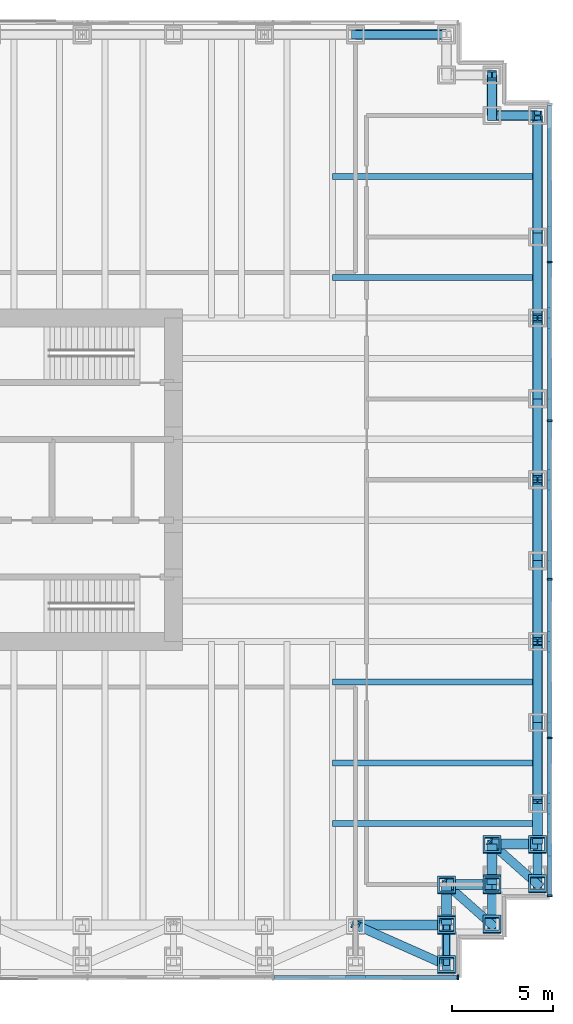
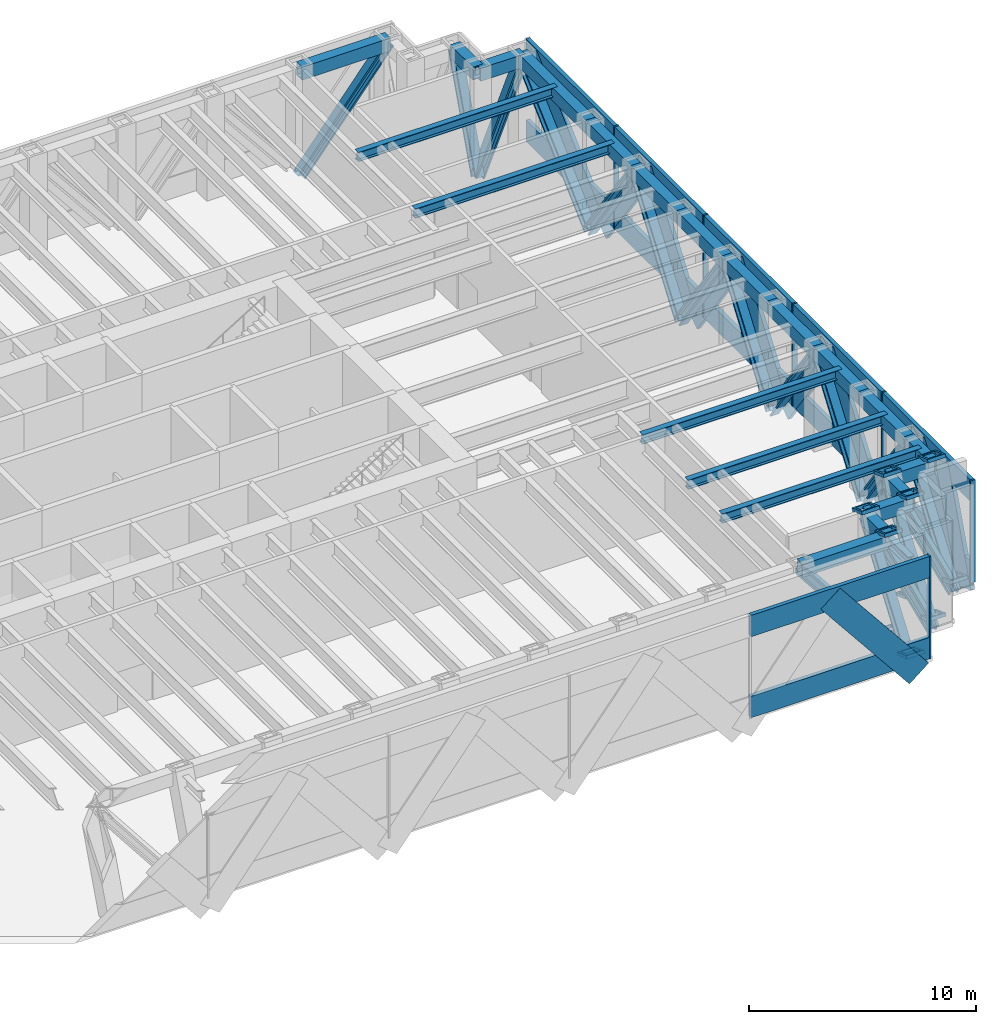
# One storey, part 8 of 16: 56 members, 23 beams, 2 elements without a shape of their own.
"""IFC4 building model written with IfcOpenShell, lengths in metres."""

from ifc_helpers import new_model, si_unit, direction, frame, origin, origin_2d, place, context, subcontext, project, spatial, rectangle, hollow_rectangle, i_section, extrude, material, material_profile, profile_set, type_object, element, aggregate, save


model = new_model("IFC4")

# Units and contexts
model_context = context("Model", 3, precision=1e-05, world=origin(), true_north=direction((0.0, 1.0)))
body_context = subcontext(model_context, "Body", "Model", "MODEL_VIEW")
ifc_project = project(units=[si_unit("LENGTHUNIT", "METRE"), si_unit("AREAUNIT", "SQUARE_METRE"), si_unit("VOLUMEUNIT", "CUBIC_METRE"), si_unit("PLANEANGLEUNIT", "RADIAN"), si_unit("MASSUNIT", "GRAM", prefix="KILO")], contexts=[model_context])

# Site, building, storey
site_placement = place(None, origin())
site = spatial("IfcSite", under=ifc_project, at=site_placement, CompositionType="ELEMENT")
building_placement = place(site_placement, origin())
building = spatial("IfcBuilding", under=site, at=building_placement, Name="Rheinbord Bourse Tower", CompositionType="ELEMENT")
storey_placement = place(building_placement, frame((0.0, 0.0, 95.0)))
storey = spatial("IfcBuildingStorey", under=building, at=storey_placement, Name="L20", CompositionType="ELEMENT", Elevation=95.0)

# Beams
ifc_material_1 = material(Name="Steel S460M", Category="steel")
ifc_material_profile_1 = material_profile(ifc_material_1, hollow_rectangle(XDim=0.5, YDim=0.699951171875, WallThickness=0.0400390625, at=origin_2d()), Name="BOX 700x500x40")
ifc_profile_set_1 = profile_set([ifc_material_profile_1], Name="Steel S460M")
beam_type_1 = type_object("IfcBeamType", Name="BELT CHORD BOX 700x500x40", PredefinedType="SPANDREL", material=ifc_profile_set_1)
beam_1_placement = place(storey_placement, frame((63.0, 2.0, 4.989990234375), z_axis=(1.0, 0.0, 0.0), x_axis=(0.0, 1.0, 0.0)))
element("IfcBeam", 1, at=beam_1_placement, inside=storey, type_object=beam_type_1, Name="Spandrel S-63-SE-E under L21", PredefinedType="SPANDREL", context=body_context, shape_type="SweptSolid", body=[
    extrude(hollow_rectangle(XDim=0.5, YDim=0.699951171875, WallThickness=0.0400390625, at=origin_2d()), origin(), (0.0, 0.0, 1.0), 4.5),
])
beam_2_placement = place(storey_placement, frame((67.5, 2.0, 4.989990234375), z_axis=(0.0, 1.0, 0.0), x_axis=(-1.0, 0.0, 0.0)))
element("IfcBeam", 2, at=beam_2_placement, inside=storey, type_object=beam_type_1, Name="Spandrel SE-E-SE-D under L21", PredefinedType="SPANDREL", context=body_context, shape_type="SweptSolid", body=[
    extrude(hollow_rectangle(XDim=0.5, YDim=0.699951171875, WallThickness=0.0400390625, at=origin_2d()), origin(), (0.0, 0.0, 1.0), 2.0),
])
beam_3_placement = place(storey_placement, frame((67.5, 4.0, 4.989990234375), z_axis=(1.0, 0.0, 0.0), x_axis=(0.0, 1.0, 0.0)))
element("IfcBeam", 3, at=beam_3_placement, inside=storey, type_object=beam_type_1, Name="Spandrel SE-D-SE-C under L21", PredefinedType="SPANDREL", context=body_context, shape_type="SweptSolid", body=[
    extrude(hollow_rectangle(XDim=0.5, YDim=0.699951171875, WallThickness=0.0400390625, at=origin_2d()), origin(), (0.0, 0.0, 1.0), 2.25),
])
beam_4_placement = place(storey_placement, frame((69.75, 4.0, 4.989990234375), z_axis=(0.0, 1.0, 0.0), x_axis=(-1.0, 0.0, 0.0)))
element("IfcBeam", 4, at=beam_4_placement, inside=storey, type_object=beam_type_1, Name="Spandrel SE-C-SE-B under L21", PredefinedType="SPANDREL", context=body_context, shape_type="SweptSolid", body=[
    extrude(hollow_rectangle(XDim=0.5, YDim=0.699951171875, WallThickness=0.0400390625, at=origin_2d()), origin(), (0.0, 0.0, 1.0), 2.0),
])
beam_5_placement = place(storey_placement, frame((69.75, 6.0, 4.989990234375), z_axis=(1.0, 0.0, 0.0), x_axis=(0.0, 1.0, 0.0)))
element("IfcBeam", 5, at=beam_5_placement, inside=storey, type_object=beam_type_1, Name="Spandrel SE-B-SE-A under L21", PredefinedType="SPANDREL", context=body_context, shape_type="SweptSolid", body=[
    extrude(hollow_rectangle(XDim=0.5, YDim=0.699951171875, WallThickness=0.0400390625, at=origin_2d()), origin(), (0.0, 0.0, 1.0), 2.25),
])
beam_6_placement = place(storey_placement, frame((72.0, 6.0, 4.989990234375), z_axis=(0.0, 1.0, 0.0), x_axis=(-1.0, 0.0, 0.0)))
element("IfcBeam", 6, at=beam_6_placement, inside=storey, type_object=beam_type_1, Name="Spandrel SE-A-E-8 under L21", PredefinedType="SPANDREL", context=body_context, shape_type="SweptSolid", body=[
    extrude(hollow_rectangle(XDim=0.5, YDim=0.699951171875, WallThickness=0.0400390625, at=origin_2d()), origin(), (0.0, 0.0, 1.0), 2.0),
])
for number, where, z_axis, x_axis, name in (
    (7, (72.0, 8.0, 4.989990234375), (0.0, 1.0, 0.0), (-1.0, 0.0, 0.0), "Spandrel E-8-E-12 under L21"),
    (8, (72.0, 12.0, 4.989990234375), (0.0, 1.0, 0.0), (-1.0, 0.0, 0.0), "Spandrel E-12-E-16 under L21"),
    (9, (72.0, 16.0, 4.989990234375), (0.0, 1.0, 0.0), (-1.0, 0.0, 0.0), "Spandrel E-16-E-20 under L21"),
    (10, (72.0, 20.0, 4.989990234375), (0.0, 1.0, 0.0), (-1.0, 0.0, 0.0), "Spandrel E-20-E-24 under L21"),
    (11, (72.0, 24.0, 4.989990234375), (0.0, 1.0, 0.0), (-1.0, 0.0, 0.0), "Spandrel E-24-E-28 under L21"),
    (12, (72.0, 28.0, 4.989990234375), (0.0, 1.0, 0.0), (-1.0, 0.0, 0.0), "Spandrel E-28-E-32 under L21"),
    (13, (72.0, 32.0, 4.989990234375), (0.0, 1.0, 0.0), (-1.0, 0.0, 0.0), "Spandrel E-32-E-36 under L21"),
):
    element("IfcBeam", number, at=place(storey_placement, frame(where, z_axis=z_axis, x_axis=x_axis)), inside=storey, type_object=beam_type_1, Name=name, PredefinedType="SPANDREL", context=body_context, shape_type="SweptSolid", body=[
        extrude(hollow_rectangle(XDim=0.5, YDim=0.699951171875, WallThickness=0.0400390625, at=origin_2d()), origin(), (0.0, 0.0, 1.0), 4.0),
    ])
beam_7_placement = place(storey_placement, frame((72.0, 36.0, 4.989990234375), z_axis=(0.0, 1.0, 0.0), x_axis=(-1.0, 0.0, 0.0)))
element("IfcBeam", 14, at=beam_7_placement, inside=storey, type_object=beam_type_1, Name="Spandrel E-36-NE-A under L21", PredefinedType="SPANDREL", context=body_context, shape_type="SweptSolid", body=[
    extrude(hollow_rectangle(XDim=0.5, YDim=0.699951171875, WallThickness=0.0400390625, at=origin_2d()), origin(), (0.0, 0.0, 1.0), 6.0),
])
beam_8_placement = place(storey_placement, frame((72.0, 42.0, 4.989990234375), z_axis=(-1.0, 0.0, 0.0), x_axis=(0.0, -1.0, 0.0)))
element("IfcBeam", 15, at=beam_8_placement, inside=storey, type_object=beam_type_1, Name="Spandrel NE-A-NE-B under L21", PredefinedType="SPANDREL", context=body_context, shape_type="SweptSolid", body=[
    extrude(hollow_rectangle(XDim=0.5, YDim=0.699951171875, WallThickness=0.0400390625, at=origin_2d()), origin(), (0.0, 0.0, 1.0), 2.25),
])
beam_9_placement = place(storey_placement, frame((69.75, 42.0, 4.989990234375), z_axis=(0.0, 1.0, 0.0), x_axis=(-1.0, 0.0, 0.0)))
element("IfcBeam", 16, at=beam_9_placement, inside=storey, type_object=beam_type_1, Name="Spandrel NE-B-NE-C under L21", PredefinedType="SPANDREL", context=body_context, shape_type="SweptSolid", body=[
    extrude(hollow_rectangle(XDim=0.5, YDim=0.699951171875, WallThickness=0.0400390625, at=origin_2d()), origin(), (0.0, 0.0, 1.0), 2.0),
])
beam_10_placement = place(storey_placement, frame((67.5, 46.0, 4.989990234375), z_axis=(-1.0, 0.0, 0.0), x_axis=(0.0, -1.0, 0.0)))
element("IfcBeam", 17, at=beam_10_placement, inside=storey, type_object=beam_type_1, Name="Spandrel NE-E-N-63 under L21", PredefinedType="SPANDREL", context=body_context, shape_type="SweptSolid", body=[
    extrude(hollow_rectangle(XDim=0.5, YDim=0.699951171875, WallThickness=0.0400390625, at=origin_2d()), origin(), (0.0, 0.0, 1.0), 4.5),
])

# Members
ifc_material_2 = material(Name="Steel S460", Category="steel")
ifc_material_profile_2 = material_profile(ifc_material_2, i_section(OverallWidth=0.431884765625, OverallDepth=0.498046875, WebThickness=0.0556640625, FlangeThickness=0.0888671875, at=origin_2d()), Name="HD 400x744")
ifc_profile_set_2 = profile_set([ifc_material_profile_2], Name="Steel S460")
member_type_1 = type_object("IfcMemberType", Name="BELT DIAGONAL HD 400x744", PredefinedType="STRUT", material=ifc_profile_set_2)
member_1_placement = place(storey_placement, frame((67.5, 0.0, -0.60009765625), z_axis=(-0.604045441932, 0.268464640859, 0.750370468962), x_axis=(-0.406138466053, -0.91381154862, 0.0)))
element("IfcMember", 18, at=member_1_placement, inside=storey, type_object=member_type_1, Name="Belt truss diagonal S-63-SE-E L20", PredefinedType="STRUT", context=body_context, shape_type="SweptSolid", body=[
    extrude(i_section(OverallWidth=0.431884765625, OverallDepth=0.498046875, WebThickness=0.0556640625, FlangeThickness=0.0888671875, at=origin_2d()), origin(), (0.0, 0.0, 1.0), 7.44970703125),
])
member_2_placement = place(storey_placement, frame((67.5, 0.0, -0.60009765625), z_axis=(0.0, 0.581920023079, 0.813246018582), x_axis=(-1.0, 0.0, 0.0)))
element("IfcMember", 19, at=member_2_placement, inside=storey, type_object=member_type_1, Name="Belt truss diagonal SE-E-SE-D L20", PredefinedType="STRUT", context=body_context, shape_type="SweptSolid", body=[
    extrude(i_section(OverallWidth=0.431884765625, OverallDepth=0.498046875, WebThickness=0.0556640625, FlangeThickness=0.0888671875, at=origin_2d()), origin(), (0.0, 0.0, 1.0), 6.873779296875),
])
member_3_placement = place(storey_placement, frame((69.75, 2.0, -0.60009765625), z_axis=(-0.35437868618, 0.315003276604, 0.880448001026), x_axis=(-0.66436383883, -0.747409318684, 0.0)))
element("IfcMember", 20, at=member_3_placement, inside=storey, type_object=member_type_1, Name="Belt truss diagonal SE-D-SE-C L20", PredefinedType="STRUT", context=body_context, shape_type="SweptSolid", body=[
    extrude(i_section(OverallWidth=0.431884765625, OverallDepth=0.498046875, WebThickness=0.0556640625, FlangeThickness=0.0888671875, at=origin_2d()), origin(), (0.0, 0.0, 1.0), 6.34912109375),
])
member_4_placement = place(storey_placement, frame((69.75, 2.0, -0.60009765625), z_axis=(0.0, 0.581920023079, 0.813246018582), x_axis=(-1.0, 0.0, 0.0)))
element("IfcMember", 21, at=member_4_placement, inside=storey, type_object=member_type_1, Name="Belt truss diagonal SE-C-SE-B L20", PredefinedType="STRUT", context=body_context, shape_type="SweptSolid", body=[
    extrude(i_section(OverallWidth=0.431884765625, OverallDepth=0.498046875, WebThickness=0.0556640625, FlangeThickness=0.0888671875, at=origin_2d()), origin(), (0.0, 0.0, 1.0), 6.873779296875),
])
member_5_placement = place(storey_placement, frame((72.0, 4.0, -0.60009765625), z_axis=(-0.35437868618, 0.315003276604, 0.880448001026), x_axis=(-0.66436383883, -0.747409318684, 0.0)))
element("IfcMember", 22, at=member_5_placement, inside=storey, type_object=member_type_1, Name="Belt truss diagonal SE-B-SE-A L20", PredefinedType="STRUT", context=body_context, shape_type="SweptSolid", body=[
    extrude(i_section(OverallWidth=0.431884765625, OverallDepth=0.498046875, WebThickness=0.0556640625, FlangeThickness=0.0888671875, at=origin_2d()), origin(), (0.0, 0.0, 1.0), 6.34912109375),
])
for number, where, z_axis, x_axis, name in (
    (23, (72.0, 4.0, -0.60009765625), (0.0, 0.581920023079, 0.813246018582), (-1.0, 0.0, 0.0), "Belt truss diagonal SE-A-E-8 L20"),
    (24, (72.0, 12.0, -0.60009765625), (0.0, -0.581920023079, 0.813246018582), (1.0, 0.0, 0.0), "Belt truss diagonal E-8-E-12 L20"),
    (25, (72.0, 12.0, -0.60009765625), (0.0, 0.581920023079, 0.813246018582), (-1.0, 0.0, 0.0), "Belt truss diagonal E-12-E-16 L20"),
    (26, (72.0, 20.0, -0.60009765625), (0.0, -0.581920023079, 0.813246018582), (1.0, 0.0, 0.0), "Belt truss diagonal E-16-E-20 L20"),
    (27, (72.0, 20.0, -0.60009765625), (0.0, 0.581920023079, 0.813246018582), (-1.0, 0.0, 0.0), "Belt truss diagonal E-20-E-24 L20"),
    (28, (72.0, 28.0, -0.60009765625), (0.0, -0.581920023079, 0.813246018582), (1.0, 0.0, 0.0), "Belt truss diagonal E-24-E-28 L20"),
    (29, (72.0, 28.0, -0.60009765625), (0.0, 0.581920023079, 0.813246018582), (-1.0, 0.0, 0.0), "Belt truss diagonal E-28-E-32 L20"),
    (30, (72.0, 36.0, -0.60009765625), (0.0, -0.581920023079, 0.813246018582), (1.0, 0.0, 0.0), "Belt truss diagonal E-32-E-36 L20"),
):
    element("IfcMember", number, at=place(storey_placement, frame(where, z_axis=z_axis, x_axis=x_axis)), inside=storey, type_object=member_type_1, Name=name, PredefinedType="STRUT", context=body_context, shape_type="SweptSolid", body=[
        extrude(i_section(OverallWidth=0.431884765625, OverallDepth=0.498046875, WebThickness=0.0556640625, FlangeThickness=0.0888671875, at=origin_2d()), origin(), (0.0, 0.0, 1.0), 6.873779296875),
    ])
member_6_placement = place(storey_placement, frame((72.0, 36.0, -0.60009765625), z_axis=(0.0, 0.731657903406, 0.681671997652), x_axis=(-1.0, 0.0, 0.0)))
element("IfcMember", 31, at=member_6_placement, inside=storey, type_object=member_type_1, Name="Belt truss diagonal E-36-NE-A L20", PredefinedType="STRUT", context=body_context, shape_type="SweptSolid", body=[
    extrude(i_section(OverallWidth=0.431884765625, OverallDepth=0.498046875, WebThickness=0.0556640625, FlangeThickness=0.0888671875, at=origin_2d()), origin(), (0.0, 0.0, 1.0), 8.200439453125),
])
member_7_placement = place(storey_placement, frame((69.75, 42.0, -0.60009765625), z_axis=(0.37338763268, 0.0, 0.92767541509), x_axis=(0.0, 1.0, 0.0)))
element("IfcMember", 32, at=member_7_placement, inside=storey, type_object=member_type_1, Name="Belt truss diagonal NE-A-NE-B L20", PredefinedType="STRUT", context=body_context, shape_type="SweptSolid", body=[
    extrude(i_section(OverallWidth=0.431884765625, OverallDepth=0.498046875, WebThickness=0.0556640625, FlangeThickness=0.0888671875, at=origin_2d()), origin(), (0.0, 0.0, 1.0), 6.02587890625),
])
member_8_placement = place(storey_placement, frame((69.75, 42.0, -0.60009765625), z_axis=(0.0, 0.336865151883, 0.941552903159), x_axis=(-1.0, 0.0, 0.0)))
element("IfcMember", 33, at=member_8_placement, inside=storey, type_object=member_type_1, Name="Belt truss diagonal NE-B-NE-C L20", PredefinedType="STRUT", context=body_context, shape_type="SweptSolid", body=[
    extrude(i_section(OverallWidth=0.431884765625, OverallDepth=0.498046875, WebThickness=0.0556640625, FlangeThickness=0.0888671875, at=origin_2d()), origin(), (0.0, 0.0, 1.0), 5.93701171875),
])
member_9_placement = place(storey_placement, frame((63.0, 46.0, -0.60009765625), z_axis=(0.627065297878, 0.0, 0.778966695178), x_axis=(0.0, 1.0, 0.0)))
element("IfcMember", 34, at=member_9_placement, inside=storey, type_object=member_type_1, Name="Belt truss diagonal NE-E-N-63 L20", PredefinedType="STRUT", context=body_context, shape_type="SweptSolid", body=[
    extrude(i_section(OverallWidth=0.431884765625, OverallDepth=0.498046875, WebThickness=0.0556640625, FlangeThickness=0.0888671875, at=origin_2d()), origin(), (0.0, 0.0, 1.0), 7.17626953125),
])

# Curtain wall, member
ifc_material_3 = material(Name="Dark glass and black aluminium", Category="aluminium")
curtain_wall_type = type_object("IfcCurtainWallType", Name="CW5 DARK GLASS CURTAIN WALL", PredefinedType="USERDEFINED", material=ifc_material_3)
curtain_wall_1_placement = place(storey_placement, origin())
curtain_wall_1 = element("IfcCurtainWall", 35, at=curtain_wall_1_placement, inside=storey, type_object=curtain_wall_type, Name="Curtain wall CW5 S L20", ObjectType="UNITISED CURTAIN WALL", PredefinedType="USERDEFINED")
ifc_material_4 = material(Name="Black anodised aluminium", Category="aluminium")
ifc_material_profile_3 = material_profile(ifc_material_4, rectangle(XDim=0.199951171875, YDim=1.259033203125, at=origin_2d()), Name="CW5 DIAGONAL MULLION 1259x200")
ifc_profile_set_3 = profile_set([ifc_material_profile_3], Name="Black anodised aluminium")
member_type_2 = type_object("IfcMemberType", Name="CW5 BLACK DIAGONAL MULLION", PredefinedType="USERDEFINED", material=ifc_profile_set_3)
member_10_placement = place(storey_placement, frame((67.5, -0.60009765625, -0.60009765625), z_axis=(-0.627065297878, 0.0, 0.778966695178), x_axis=(0.0, -1.0, 0.0)))
member_10 = element("IfcMember", 36, at=member_10_placement, type_object=member_type_2, Name="CW5 diagonal mullion belt S-63", ObjectType="DIAGONAL MULLION", PredefinedType="USERDEFINED", context=body_context, shape_type="SweptSolid", body=[
    extrude(rectangle(XDim=0.199951171875, YDim=1.259033203125, at=origin_2d()), origin(), (0.0, 0.0, 1.0), 7.17626953125),
])

# Curtain wall, members
curtain_wall_2_placement = place(storey_placement, origin())
curtain_wall_2 = element("IfcCurtainWall", 37, at=curtain_wall_2_placement, inside=storey, type_object=curtain_wall_type, Name="Curtain wall CW5 E L20", ObjectType="UNITISED CURTAIN WALL", PredefinedType="USERDEFINED")
member_11_placement = place(storey_placement, frame((72.60009765625, 4.0, -0.60009765625), z_axis=(0.0, 0.336865151883, 0.941552903159), x_axis=(-1.0, 0.0, 0.0)))
member_11 = element("IfcMember", 38, at=member_11_placement, type_object=member_type_2, Name="CW5 diagonal mullion belt SE-B", ObjectType="DIAGONAL MULLION", PredefinedType="USERDEFINED", context=body_context, shape_type="SweptSolid", body=[
    extrude(rectangle(XDim=0.199951171875, YDim=1.259033203125, at=origin_2d()), origin(), (0.0, 0.0, 1.0), 5.93701171875),
])
member_12_placement = place(storey_placement, frame((72.60009765625, 4.0, -0.60009765625), z_axis=(0.0, 0.581920023079, 0.813246018582), x_axis=(-1.0, 0.0, 0.0)))
member_12 = element("IfcMember", 39, at=member_12_placement, type_object=member_type_2, Name="CW5 diagonal mullion belt SE-A", ObjectType="DIAGONAL MULLION", PredefinedType="USERDEFINED", context=body_context, shape_type="SweptSolid", body=[
    extrude(rectangle(XDim=0.199951171875, YDim=1.259033203125, at=origin_2d()), origin(), (0.0, 0.0, 1.0), 6.873779296875),
])
member_13_placement = place(storey_placement, frame((72.60009765625, 12.0, -0.60009765625), z_axis=(0.0, -0.581920023079, 0.813246018582), x_axis=(1.0, 0.0, 0.0)))
member_13 = element("IfcMember", 40, at=member_13_placement, type_object=member_type_2, Name="CW5 diagonal mullion belt E-8", ObjectType="DIAGONAL MULLION", PredefinedType="USERDEFINED", context=body_context, shape_type="SweptSolid", body=[
    extrude(rectangle(XDim=0.199951171875, YDim=1.259033203125, at=origin_2d()), origin(), (0.0, 0.0, 1.0), 6.873779296875),
])
member_14_placement = place(storey_placement, frame((72.60009765625, 12.0, -0.60009765625), z_axis=(0.0, 0.581920023079, 0.813246018582), x_axis=(-1.0, 0.0, 0.0)))
member_14 = element("IfcMember", 41, at=member_14_placement, type_object=member_type_2, Name="CW5 diagonal mullion belt E-12", ObjectType="DIAGONAL MULLION", PredefinedType="USERDEFINED", context=body_context, shape_type="SweptSolid", body=[
    extrude(rectangle(XDim=0.199951171875, YDim=1.259033203125, at=origin_2d()), origin(), (0.0, 0.0, 1.0), 6.873779296875),
])
member_15_placement = place(storey_placement, frame((72.60009765625, 20.0, -0.60009765625), z_axis=(0.0, -0.581920023079, 0.813246018582), x_axis=(1.0, 0.0, 0.0)))
member_15 = element("IfcMember", 42, at=member_15_placement, type_object=member_type_2, Name="CW5 diagonal mullion belt E-16", ObjectType="DIAGONAL MULLION", PredefinedType="USERDEFINED", context=body_context, shape_type="SweptSolid", body=[
    extrude(rectangle(XDim=0.199951171875, YDim=1.259033203125, at=origin_2d()), origin(), (0.0, 0.0, 1.0), 6.873779296875),
])
member_16_placement = place(storey_placement, frame((72.60009765625, 20.0, -0.60009765625), z_axis=(0.0, 0.581920023079, 0.813246018582), x_axis=(-1.0, 0.0, 0.0)))
member_16 = element("IfcMember", 43, at=member_16_placement, type_object=member_type_2, Name="CW5 diagonal mullion belt E-20", ObjectType="DIAGONAL MULLION", PredefinedType="USERDEFINED", context=body_context, shape_type="SweptSolid", body=[
    extrude(rectangle(XDim=0.199951171875, YDim=1.259033203125, at=origin_2d()), origin(), (0.0, 0.0, 1.0), 6.873779296875),
])
member_17_placement = place(storey_placement, frame((72.60009765625, 28.0, -0.60009765625), z_axis=(0.0, -0.581920023079, 0.813246018582), x_axis=(1.0, 0.0, 0.0)))
member_17 = element("IfcMember", 44, at=member_17_placement, type_object=member_type_2, Name="CW5 diagonal mullion belt E-24", ObjectType="DIAGONAL MULLION", PredefinedType="USERDEFINED", context=body_context, shape_type="SweptSolid", body=[
    extrude(rectangle(XDim=0.199951171875, YDim=1.259033203125, at=origin_2d()), origin(), (0.0, 0.0, 1.0), 6.873779296875),
])
member_18_placement = place(storey_placement, frame((72.60009765625, 28.0, -0.60009765625), z_axis=(0.0, 0.581920023079, 0.813246018582), x_axis=(-1.0, 0.0, 0.0)))
member_18 = element("IfcMember", 45, at=member_18_placement, type_object=member_type_2, Name="CW5 diagonal mullion belt E-28", ObjectType="DIAGONAL MULLION", PredefinedType="USERDEFINED", context=body_context, shape_type="SweptSolid", body=[
    extrude(rectangle(XDim=0.199951171875, YDim=1.259033203125, at=origin_2d()), origin(), (0.0, 0.0, 1.0), 6.873779296875),
])
member_19_placement = place(storey_placement, frame((72.60009765625, 36.0, -0.60009765625), z_axis=(0.0, -0.581920023079, 0.813246018582), x_axis=(1.0, 0.0, 0.0)))
member_19 = element("IfcMember", 46, at=member_19_placement, type_object=member_type_2, Name="CW5 diagonal mullion belt E-32", ObjectType="DIAGONAL MULLION", PredefinedType="USERDEFINED", context=body_context, shape_type="SweptSolid", body=[
    extrude(rectangle(XDim=0.199951171875, YDim=1.259033203125, at=origin_2d()), origin(), (0.0, 0.0, 1.0), 6.873779296875),
])
member_20_placement = place(storey_placement, frame((72.60009765625, 36.0, -0.60009765625), z_axis=(0.0, 0.731657903406, 0.681671997652), x_axis=(-1.0, 0.0, 0.0)))
member_20 = element("IfcMember", 47, at=member_20_placement, type_object=member_type_2, Name="CW5 diagonal mullion belt E-36", ObjectType="DIAGONAL MULLION", PredefinedType="USERDEFINED", context=body_context, shape_type="SweptSolid", body=[
    extrude(rectangle(XDim=0.199951171875, YDim=1.259033203125, at=origin_2d()), origin(), (0.0, 0.0, 1.0), 8.200439453125),
])

# Member
ifc_material_5 = material(Name="Black anodised aluminium", Category="aluminium")
ifc_material_profile_4 = material_profile(ifc_material_5, rectangle(XDim=0.25, YDim=0.080078125, at=origin_2d()), Name="CW5 MULLION 80x250")
ifc_profile_set_4 = profile_set([ifc_material_profile_4], Name="Black anodised aluminium")
member_type_3 = type_object("IfcMemberType", Name="CW5 BLACK MULLION", PredefinedType="MULLION", material=ifc_profile_set_4)
member_21_placement = place(storey_placement, frame((68.06005859375, -0.60009765625, 0.0), z_axis=(0.0, 0.0, 1.0), x_axis=(0.0, 1.0, 0.0)))
member_21 = element("IfcMember", 48, at=member_21_placement, type_object=member_type_3, Name="CW5 mullion 8", PredefinedType="MULLION", context=body_context, shape_type="SweptSolid", body=[
    extrude(rectangle(XDim=0.25, YDim=0.080078125, at=origin_2d()), origin(), (0.0, 0.0, 1.0), 5.5),
])

member_22_placement = place(storey_placement, frame((72.60009765625, 3.43994140625, 0.0), z_axis=(0.0, 0.0, 1.0), x_axis=(-1.0, 0.0, 0.0)))
member_22 = element("IfcMember", 49, at=member_22_placement, type_object=member_type_3, Name="CW5 mullion 1", PredefinedType="MULLION", context=body_context, shape_type="SweptSolid", body=[
    extrude(rectangle(XDim=0.25, YDim=0.080078125, at=origin_2d()), origin(), (0.0, 0.0, 1.0), 5.5),
])

member_23_placement = place(storey_placement, frame((72.60009765625, 11.239990234375, 0.0), z_axis=(0.0, 0.0, 1.0), x_axis=(-1.0, 0.0, 0.0)))
member_23 = element("IfcMember", 50, at=member_23_placement, type_object=member_type_3, Name="CW5 mullion 2", PredefinedType="MULLION", context=body_context, shape_type="SweptSolid", body=[
    extrude(rectangle(XDim=0.25, YDim=0.080078125, at=origin_2d()), origin(), (0.0, 0.0, 1.0), 5.5),
])

member_24_placement = place(storey_placement, frame((72.60009765625, 19.080078125, 0.0), z_axis=(0.0, 0.0, 1.0), x_axis=(-1.0, 0.0, 0.0)))
member_24 = element("IfcMember", 51, at=member_24_placement, type_object=member_type_3, Name="CW5 mullion 3", PredefinedType="MULLION", context=body_context, shape_type="SweptSolid", body=[
    extrude(rectangle(XDim=0.25, YDim=0.080078125, at=origin_2d()), origin(), (0.0, 0.0, 1.0), 5.5),
])

member_25_placement = place(storey_placement, frame((72.60009765625, 26.919921875, 0.0), z_axis=(0.0, 0.0, 1.0), x_axis=(-1.0, 0.0, 0.0)))
member_25 = element("IfcMember", 52, at=member_25_placement, type_object=member_type_3, Name="CW5 mullion 4", PredefinedType="MULLION", context=body_context, shape_type="SweptSolid", body=[
    extrude(rectangle(XDim=0.25, YDim=0.080078125, at=origin_2d()), origin(), (0.0, 0.0, 1.0), 5.5),
])

member_26_placement = place(storey_placement, frame((72.60009765625, 34.760009765625, 0.0), z_axis=(0.0, 0.0, 1.0), x_axis=(-1.0, 0.0, 0.0)))
member_26 = element("IfcMember", 53, at=member_26_placement, type_object=member_type_3, Name="CW5 mullion 5", PredefinedType="MULLION", context=body_context, shape_type="SweptSolid", body=[
    extrude(rectangle(XDim=0.25, YDim=0.080078125, at=origin_2d()), origin(), (0.0, 0.0, 1.0), 5.5),
])

ifc_material_6 = material(Name="Black anodised aluminium", Category="aluminium")
ifc_material_profile_5 = material_profile(ifc_material_6, rectangle(XDim=0.199951171875, YDim=1.14990234375, at=origin_2d()), Name="CW5 TRANSOM 1150x200")
ifc_profile_set_5 = profile_set([ifc_material_profile_5], Name="Black anodised aluminium")
member_type_4 = type_object("IfcMemberType", Name="CW5 BLACK TRANSOM", PredefinedType="USERDEFINED", material=ifc_profile_set_5)
member_27_placement = place(storey_placement, frame((58.968505859375, -0.60009765625, 0.574951171875), z_axis=(1.0, 0.0, 0.0), x_axis=(0.0, 1.0, 0.0)))
member_27 = element("IfcMember", 54, at=member_27_placement, type_object=member_type_4, Name="CW5 transom 7.1", ObjectType="TRANSOM", PredefinedType="USERDEFINED", context=body_context, shape_type="SweptSolid", body=[
    extrude(rectangle(XDim=0.199951171875, YDim=1.14990234375, at=origin_2d()), origin(), (0.0, 0.0, 1.0), 9.051513671875),
])

member_28_placement = place(storey_placement, frame((58.968505859375, -0.60009765625, 4.925048828125), z_axis=(1.0, 0.0, 0.0), x_axis=(0.0, 1.0, 0.0)))
member_28 = element("IfcMember", 55, at=member_28_placement, type_object=member_type_4, Name="CW5 transom 7.2", ObjectType="TRANSOM", PredefinedType="USERDEFINED", context=body_context, shape_type="SweptSolid", body=[
    extrude(rectangle(XDim=0.199951171875, YDim=1.14990234375, at=origin_2d()), origin(), (0.0, 0.0, 1.0), 9.051513671875),
])

aggregate(curtain_wall_1, [member_21, member_27, member_28, member_10])

member_29_placement = place(storey_placement, frame((72.60009765625, 3.47998046875, 0.574951171875), z_axis=(0.0, 1.0, 0.0), x_axis=(-1.0, 0.0, 0.0)))
member_29 = element("IfcMember", 56, at=member_29_placement, type_object=member_type_4, Name="CW5 transom 1.1", ObjectType="TRANSOM", PredefinedType="USERDEFINED", context=body_context, shape_type="SweptSolid", body=[
    extrude(rectangle(XDim=0.199951171875, YDim=1.14990234375, at=origin_2d()), origin(), (0.0, 0.0, 1.0), 7.719970703125),
])

member_30_placement = place(storey_placement, frame((72.60009765625, 3.47998046875, 4.925048828125), z_axis=(0.0, 1.0, 0.0), x_axis=(-1.0, 0.0, 0.0)))
member_30 = element("IfcMember", 57, at=member_30_placement, type_object=member_type_4, Name="CW5 transom 1.2", ObjectType="TRANSOM", PredefinedType="USERDEFINED", context=body_context, shape_type="SweptSolid", body=[
    extrude(rectangle(XDim=0.199951171875, YDim=1.14990234375, at=origin_2d()), origin(), (0.0, 0.0, 1.0), 7.719970703125),
])

member_31_placement = place(storey_placement, frame((72.60009765625, 11.280029296875, 0.574951171875), z_axis=(0.0, 1.0, 0.0), x_axis=(-1.0, 0.0, 0.0)))
member_31 = element("IfcMember", 58, at=member_31_placement, type_object=member_type_4, Name="CW5 transom 2.1", ObjectType="TRANSOM", PredefinedType="USERDEFINED", context=body_context, shape_type="SweptSolid", body=[
    extrude(rectangle(XDim=0.199951171875, YDim=1.14990234375, at=origin_2d()), origin(), (0.0, 0.0, 1.0), 7.760009765625),
])

member_32_placement = place(storey_placement, frame((72.60009765625, 11.280029296875, 4.925048828125), z_axis=(0.0, 1.0, 0.0), x_axis=(-1.0, 0.0, 0.0)))
member_32 = element("IfcMember", 59, at=member_32_placement, type_object=member_type_4, Name="CW5 transom 2.2", ObjectType="TRANSOM", PredefinedType="USERDEFINED", context=body_context, shape_type="SweptSolid", body=[
    extrude(rectangle(XDim=0.199951171875, YDim=1.14990234375, at=origin_2d()), origin(), (0.0, 0.0, 1.0), 7.760009765625),
])

member_33_placement = place(storey_placement, frame((72.60009765625, 19.1201171875, 0.574951171875), z_axis=(0.0, 1.0, 0.0), x_axis=(-1.0, 0.0, 0.0)))
member_33 = element("IfcMember", 60, at=member_33_placement, type_object=member_type_4, Name="CW5 transom 3.1", ObjectType="TRANSOM", PredefinedType="USERDEFINED", context=body_context, shape_type="SweptSolid", body=[
    extrude(rectangle(XDim=0.199951171875, YDim=1.14990234375, at=origin_2d()), origin(), (0.0, 0.0, 1.0), 7.759765625),
])

member_34_placement = place(storey_placement, frame((72.60009765625, 19.1201171875, 4.925048828125), z_axis=(0.0, 1.0, 0.0), x_axis=(-1.0, 0.0, 0.0)))
member_34 = element("IfcMember", 61, at=member_34_placement, type_object=member_type_4, Name="CW5 transom 3.2", ObjectType="TRANSOM", PredefinedType="USERDEFINED", context=body_context, shape_type="SweptSolid", body=[
    extrude(rectangle(XDim=0.199951171875, YDim=1.14990234375, at=origin_2d()), origin(), (0.0, 0.0, 1.0), 7.759765625),
])

member_35_placement = place(storey_placement, frame((72.60009765625, 26.9599609375, 0.574951171875), z_axis=(0.0, 1.0, 0.0), x_axis=(-1.0, 0.0, 0.0)))
member_35 = element("IfcMember", 62, at=member_35_placement, type_object=member_type_4, Name="CW5 transom 4.1", ObjectType="TRANSOM", PredefinedType="USERDEFINED", context=body_context, shape_type="SweptSolid", body=[
    extrude(rectangle(XDim=0.199951171875, YDim=1.14990234375, at=origin_2d()), origin(), (0.0, 0.0, 1.0), 7.760009765625),
])

member_36_placement = place(storey_placement, frame((72.60009765625, 26.9599609375, 4.925048828125), z_axis=(0.0, 1.0, 0.0), x_axis=(-1.0, 0.0, 0.0)))
member_36 = element("IfcMember", 63, at=member_36_placement, type_object=member_type_4, Name="CW5 transom 4.2", ObjectType="TRANSOM", PredefinedType="USERDEFINED", context=body_context, shape_type="SweptSolid", body=[
    extrude(rectangle(XDim=0.199951171875, YDim=1.14990234375, at=origin_2d()), origin(), (0.0, 0.0, 1.0), 7.760009765625),
])

member_37_placement = place(storey_placement, frame((72.60009765625, 34.800048828125, 0.574951171875), z_axis=(0.0, 1.0, 0.0), x_axis=(-1.0, 0.0, 0.0)))
member_37 = element("IfcMember", 64, at=member_37_placement, type_object=member_type_4, Name="CW5 transom 5.1", ObjectType="TRANSOM", PredefinedType="USERDEFINED", context=body_context, shape_type="SweptSolid", body=[
    extrude(rectangle(XDim=0.199951171875, YDim=1.14990234375, at=origin_2d()), origin(), (0.0, 0.0, 1.0), 7.719970703125),
])

member_38_placement = place(storey_placement, frame((72.60009765625, 34.800048828125, 4.925048828125), z_axis=(0.0, 1.0, 0.0), x_axis=(-1.0, 0.0, 0.0)))
member_38 = element("IfcMember", 65, at=member_38_placement, type_object=member_type_4, Name="CW5 transom 5.2", ObjectType="TRANSOM", PredefinedType="USERDEFINED", context=body_context, shape_type="SweptSolid", body=[
    extrude(rectangle(XDim=0.199951171875, YDim=1.14990234375, at=origin_2d()), origin(), (0.0, 0.0, 1.0), 7.719970703125),
])

aggregate(curtain_wall_2, [member_22, member_23, member_24, member_25, member_26, member_29, member_30, member_31, member_32, member_33, member_34, member_35, member_36, member_37, member_38, member_11, member_12, member_13, member_14, member_15, member_16, member_17, member_18, member_19, member_20])

# Members
ifc_material_7 = material(Name="Steel S460M", Category="steel")
ifc_material_profile_6 = material_profile(ifc_material_7, hollow_rectangle(XDim=0.89990234375, YDim=0.89990234375, WallThickness=0.110107421875, at=origin_2d()), Name="BOX 900x900x110")
ifc_profile_set_6 = profile_set([ifc_material_profile_6], Name="Steel S460M")
member_type_5 = type_object("IfcMemberType", Name="RAKING NODE PIECE BOX 900x900x110", PredefinedType="USERDEFINED", material=ifc_profile_set_6)
for number, where, z_axis, x_axis, name in (
    (66, (67.5, 0.0, 0.0), (0.0, 0.341861886176, 0.939750206587), (0.0, -0.939750206587, 0.341861886176), "Node piece SE-E L20 foot"),
    (67, (67.5, 1.943603515625, 5.344970703125), (0.0, 0.341861886176, 0.939750206587), (0.0, -0.939750206587, 0.341861886176), "Node piece SE-E L20 head"),
    (68, (67.5, 2.0, 0.0), (0.0, 0.341861886176, 0.939750206587), (0.0, -0.939750206587, 0.341861886176), "Node piece SE-D L20 foot"),
    (69, (67.5, 3.943603515625, 5.344970703125), (0.0, 0.341861886176, 0.939750206587), (0.0, -0.939750206587, 0.341861886176), "Node piece SE-D L20 head"),
    (70, (69.75, 2.0, 0.0), (0.0, 0.341861886176, 0.939750206587), (-1.0, 0.0, 0.0), "Node piece SE-C L20 foot"),
    (71, (69.75, 3.943603515625, 5.344970703125), (0.0, 0.341861886176, 0.939750206587), (-1.0, 0.0, 0.0), "Node piece SE-C L20 head"),
    (72, (69.75, 4.0, 0.0), (0.0, 0.341861886176, 0.939750206587), (-1.0, 0.0, 0.0), "Node piece SE-B L20 foot"),
    (73, (69.75, 5.943603515625, 5.344970703125), (0.0, 0.341861886176, 0.939750206587), (-1.0, 0.0, 0.0), "Node piece SE-B L20 head"),
    (74, (72.0, 4.0, 0.0), (0.0, 0.341861886176, 0.939750206587), (-1.0, 0.0, 0.0), "Node piece SE-A L20 foot"),
    (75, (72.0, 5.943603515625, 5.344970703125), (0.0, 0.341861886176, 0.939750206587), (-1.0, 0.0, 0.0), "Node piece SE-A L20 head"),
):
    element("IfcMember", number, at=place(storey_placement, frame(where, z_axis=z_axis, x_axis=x_axis)), inside=storey, type_object=member_type_5, Name=name, ObjectType="NODE PIECE", PredefinedType="USERDEFINED", context=body_context, shape_type="SweptSolid", body=[
        extrude(hollow_rectangle(XDim=0.89990234375, YDim=0.89990234375, WallThickness=0.110107421875, at=origin_2d()), origin(), (0.0, 0.0, 1.0), 0.1650390625),
    ])

# Beams
ifc_material_8 = material(Name="Steel S460", Category="steel")
ifc_material_profile_7 = material_profile(ifc_material_8, i_section(OverallWidth=0.305908203125, OverallDepth=0.52392578125, WebThickness=0.02099609375, FlangeThickness=0.0400390625, at=origin_2d()), Name="HEM 500")
ifc_profile_set_7 = profile_set([ifc_material_profile_7], Name="Steel S460")
beam_type_2 = type_object("IfcBeamType", Name="SETBACK OUTLOOKER HEM 500", PredefinedType="BEAM", material=ifc_profile_set_7)
beam_11_placement = place(storey_placement, frame((67.5, 2.0, 4.988037109375), z_axis=(0.0, -1.0, 0.0), x_axis=(1.0, 0.0, 0.0)))
element("IfcBeam", 76, at=beam_11_placement, inside=storey, type_object=beam_type_2, Name="Setback outlooker SE-E L21", PredefinedType="BEAM", context=body_context, shape_type="SweptSolid", body=[
    extrude(i_section(OverallWidth=0.305908203125, OverallDepth=0.52392578125, WebThickness=0.02099609375, FlangeThickness=0.0400390625, at=origin_2d()), origin(), (0.0, 0.0, 1.0), 2.0),
])
ifc_material_9 = material(Name="Steel S460", Category="steel")
ifc_material_profile_8 = material_profile(ifc_material_9, i_section(OverallWidth=0.300048828125, OverallDepth=0.5, WebThickness=0.014404296875, FlangeThickness=0.028076171875, at=origin_2d()), Name="HEB 500")
ifc_profile_set_8 = profile_set([ifc_material_profile_8], Name="Steel S460")
beam_type_3 = type_object("IfcBeamType", Name="TIE BEAM HEB 500", PredefinedType="JOIST", material=ifc_profile_set_8)
for number, where, z_axis, x_axis, name in (
    (77, (61.875, 7.0, 5.090087890625), (1.0, 0.0, 0.0), (0.0, 1.0, 0.0), "Tie east 7 L21"),
    (78, (61.875, 10.0, 5.090087890625), (1.0, 0.0, 0.0), (0.0, 1.0, 0.0), "Tie east 10 L21"),
    (79, (61.875, 14.0, 5.090087890625), (1.0, 0.0, 0.0), (0.0, 1.0, 0.0), "Tie east 14 L21"),
    (80, (61.875, 34.0, 5.090087890625), (1.0, 0.0, 0.0), (0.0, 1.0, 0.0), "Tie east 34 L21"),
    (81, (61.875, 39.0, 5.090087890625), (1.0, 0.0, 0.0), (0.0, 1.0, 0.0), "Tie east 39 L21"),
):
    element("IfcBeam", number, at=place(storey_placement, frame(where, z_axis=z_axis, x_axis=x_axis)), inside=storey, type_object=beam_type_3, Name=name, PredefinedType="JOIST", context=body_context, shape_type="SweptSolid", body=[
        extrude(i_section(OverallWidth=0.300048828125, OverallDepth=0.5, WebThickness=0.014404296875, FlangeThickness=0.028076171875, at=origin_2d()), origin(), (0.0, 0.0, 1.0), 10.125),
    ])

save(model, "model.ifc")
